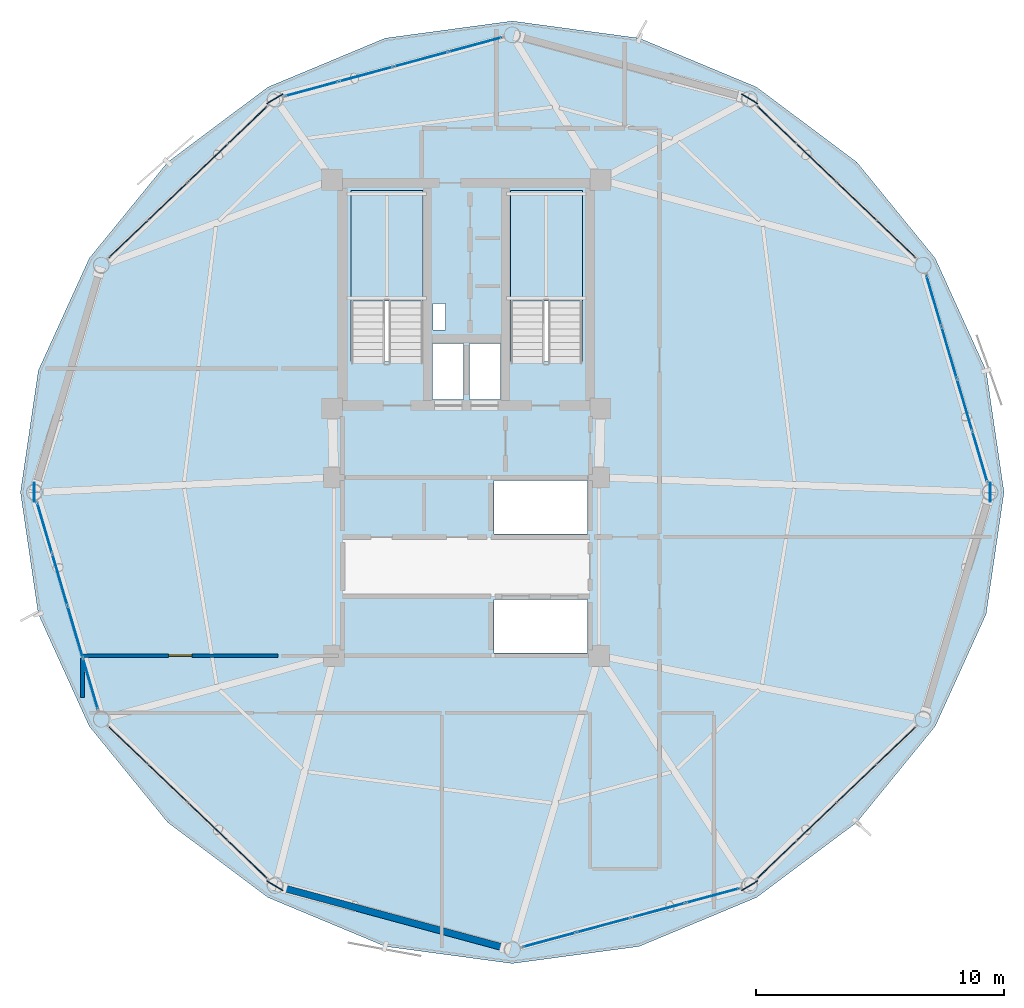
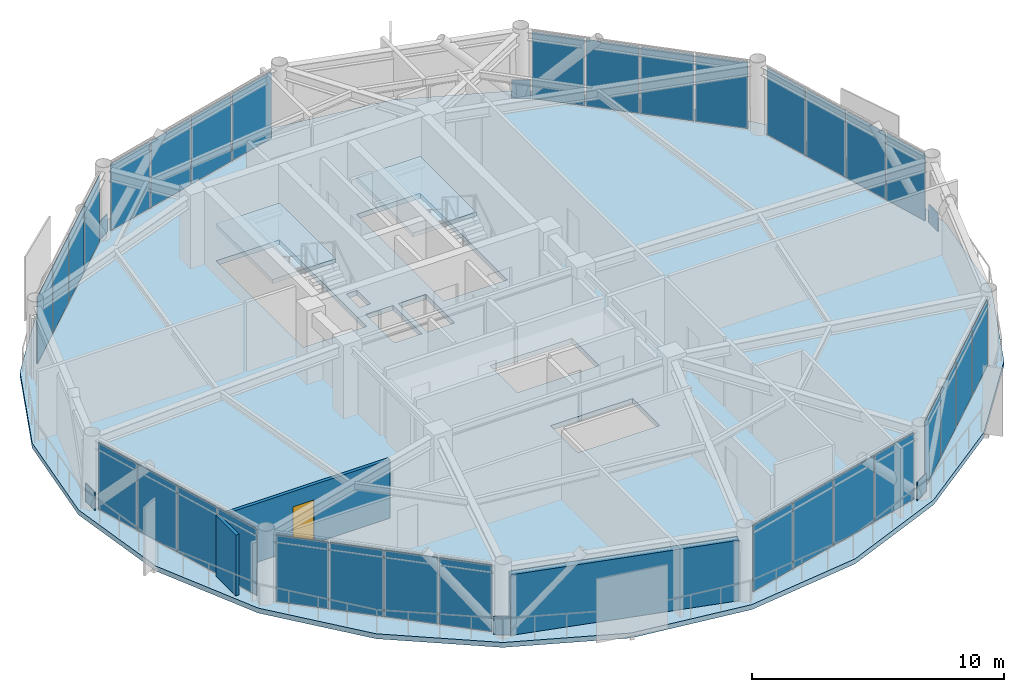
# One storey, part 22 of 28: 38 plates, 3 slabs, 3 walls, 1 door, 1 opening, 10 elements without a shape of their own.
"""IFC4 building model written with IfcOpenShell, lengths in metres."""

from ifc_helpers import new_model, si_unit, direction, frame, frame_2d, origin, origin_2d, place, context, subcontext, project, spatial, polyline, rectangle, outline, extrude, source, transform, mapped, material, layer, layer_set, type_object, type_shapes, element, fill, aggregate, save


model = new_model("IFC4")

# Units and contexts
model_context = context("Model", 3, precision=1e-05, world=origin(), true_north=direction((0.0, 1.0)))
body_context = subcontext(model_context, "Body", "Model", "MODEL_VIEW")
ifc_project = project(units=[si_unit("LENGTHUNIT", "METRE"), si_unit("AREAUNIT", "SQUARE_METRE"), si_unit("VOLUMEUNIT", "CUBIC_METRE"), si_unit("PLANEANGLEUNIT", "RADIAN"), si_unit("MASSUNIT", "GRAM", prefix="KILO")], contexts=[model_context])

# Site, building, storey
site_placement = place(None, origin())
site = spatial("IfcSite", under=ifc_project, at=site_placement, CompositionType="ELEMENT")
building_placement = place(site_placement, origin())
building = spatial("IfcBuilding", under=site, at=building_placement, Name="Varnakorn Sky Granary", CompositionType="ELEMENT")
storey_placement = place(building_placement, frame((0.0, 0.0, 204.0)))
storey = spatial("IfcBuildingStorey", under=building, at=storey_placement, Name="L51", CompositionType="ELEMENT", Elevation=204.0)

# Plates
ifc_material_1 = material(Name="Steel S460M", Category="steel")
ifc_layer_1 = layer(ifc_material_1, 0.035888671875, Name="Steel S460M")
ifc_layer_set_1 = layer_set([ifc_layer_1], Name="Steel S460M")
plate_type_1 = type_object("IfcPlateType", Name="PL-NODE-KN4", PredefinedType="SHEET", material=ifc_layer_set_1)
for number, where, z_axis, x_axis, name in (
    (1, (24.157958984375, 0.0, 0.0), (0.0, 0.0, 1.0), (0.0, 1.0, 0.0), "Diagrid Node Gusset Assembly KN4 L51-1"),
    (2, (14.4365234375, 15.886474609375, 0.0), (0.0, 0.0, 1.0), (-0.856190538408, 0.516660199687, 0.0), "Diagrid Node Gusset Assembly KN4 L51-3"),
    (3, (-4.736572265625, 15.886474609375, 0.0), (0.0, 0.0, 1.0), (-0.856190538408, -0.516660199687, 0.0), "Diagrid Node Gusset Assembly KN4 L51-5"),
    (4, (-14.4580078125, 0.0, 0.0), (0.0, 0.0, 1.0), (0.0, -1.0, 0.0), "Diagrid Node Gusset Assembly KN4 L51-7"),
    (5, (-4.736572265625, -15.886474609375, 0.0), (0.0, 0.0, 1.0), (0.856190538408, -0.516660199687, 0.0), "Diagrid Node Gusset Assembly KN4 L51-9"),
    (6, (14.4365234375, -15.886474609375, 0.0), (0.0, 0.0, 1.0), (0.856190538408, 0.516660199687, 0.0), "Diagrid Node Gusset Assembly KN4 L51-11"),
):
    element("IfcPlate", number, at=place(storey_placement, frame(where, z_axis=z_axis, x_axis=x_axis)), inside=storey, type_object=plate_type_1, Name=name, PredefinedType="SHEET", context=body_context, shape_type="SweptSolid", body=[
        extrude(rectangle(XDim=0.760009765625, YDim=0.035888671875, at=origin_2d()), origin(), (0.0, 0.0, 1.0), 0.8798828125),
    ])

# Stair, slab
ifc_material_2 = material(Name="Concrete C40/50", Category="concrete")
stair_type = type_object("IfcStairType", Name="ST-MAIN-ASSEMBLY", PredefinedType="HALF_TURN_STAIR", material=ifc_material_2)
stair_1_placement = place(storey_placement, origin())
stair_1 = element("IfcStair", 7, at=stair_1_placement, inside=storey, type_object=stair_type, Name="L51 Protected Exit Stair ST-1", PredefinedType="HALF_TURN_STAIR")
ifc_layer_2 = layer(ifc_material_2, 0.199951171875, Name="Concrete C40/50")
ifc_layer_set_2 = layer_set([ifc_layer_2], Name="Concrete C40/50")
slab_type_1 = type_object("IfcSlabType", Name="ST-MAIN-LAND", PredefinedType="LANDING", material=ifc_layer_set_2)
slab_1_placement = place(storey_placement, frame((0.0, 0.0, 1.60009765625)))
slab_1 = element("IfcSlab", 8, at=slab_1_placement, type_object=slab_type_1, Name="ST-1 landing 1", PredefinedType="LANDING", context=body_context, shape_type="SweptSolid", body=[
    extrude(outline(polyline([(1.239990234375, 7.719970703125), (1.239990234375, 12.179931640625), (-1.669921875, 12.179931640625), (-1.669921875, 7.719970703125), (1.239990234375, 7.719970703125)])), origin(), (0.0, 0.0, 1.0), 0.199951171875),
])
aggregate(stair_1, [slab_1])

stair_2_placement = place(storey_placement, origin())
stair_2 = element("IfcStair", 9, at=stair_2_placement, inside=storey, type_object=stair_type, Name="L51 Protected Exit Stair ST-2", PredefinedType="HALF_TURN_STAIR")
slab_2_placement = place(storey_placement, frame((0.0, 0.0, 1.60009765625)))
slab_2 = element("IfcSlab", 10, at=slab_2_placement, type_object=slab_type_1, Name="ST-2 landing 1", PredefinedType="LANDING", context=body_context, shape_type="SweptSolid", body=[
    extrude(outline(polyline([(7.679931640625, 7.719970703125), (7.679931640625, 12.179931640625), (4.77001953125, 12.179931640625), (4.77001953125, 7.719970703125), (7.679931640625, 7.719970703125)])), origin(), (0.0, 0.0, 1.0), 0.199951171875),
])
aggregate(stair_2, [slab_2])

# Slab
ifc_material_3 = material(Name="Concrete C50/60", Category="concrete")
ifc_layer_3 = layer(ifc_material_3, 0.239990234375, Name="Concrete C50/60")
ifc_layer_set_3 = layer_set([ifc_layer_3], Name="Concrete C50/60")
slab_type_2 = type_object("IfcSlabType", Name="ST-SL-TWR-240", PredefinedType="FLOOR", material=ifc_layer_set_3)
slab_3_placement = place(storey_placement, frame((0.0, 0.0, -0.239990234375)))
element("IfcSlab", 11, at=slab_3_placement, inside=storey, type_object=slab_type_2, Name="Level L51 Structural Floor Slab", PredefinedType="FLOOR", context=body_context, shape_type="SweptSolid", body=[
    extrude(outline(polyline([(24.7080078125, 0.0), (23.98779296875, 4.913330078125), (21.9306640625, 9.447021484375), (18.764404296875, 13.328369140625), (14.71142578125, 16.36279296875), (9.97802734375, 18.337158203125), (4.85009765625, 19.029052734375), (-0.278076171875, 18.337158203125), (-5.011474609375, 16.36279296875), (-9.064453125, 13.328369140625), (-12.230712890625, 9.447021484375), (-14.287841796875, 4.913330078125), (-15.008056640625, 0.0), (-14.287841796875, -4.913330078125), (-12.230712890625, -9.447021484375), (-9.064453125, -13.328369140625), (-5.011474609375, -16.36279296875), (-0.278076171875, -18.337158203125), (4.85009765625, -19.029052734375), (9.97802734375, -18.337158203125), (14.71142578125, -16.36279296875), (18.764404296875, -13.328369140625), (21.9306640625, -9.447021484375), (23.98779296875, -4.913330078125), (24.7080078125, 0.0)]), holes=[polyline([(1.239990234375, 5.27490234375), (1.239990234375, 12.179931640625), (-1.669921875, 12.179931640625), (-1.669921875, 5.27490234375), (1.239990234375, 5.27490234375)]), polyline([(7.679931640625, 5.27490234375), (7.679931640625, 12.179931640625), (4.77001953125, 12.179931640625), (4.77001953125, 5.27490234375), (7.679931640625, 5.27490234375)]), polyline([(1.659912109375, 6.550048828125), (2.14990234375, 6.550048828125), (2.14990234375, 7.6201171875), (1.659912109375, 7.6201171875), (1.659912109375, 6.550048828125)]), polyline([(1.6201171875, 3.739990234375), (2.8798828125, 3.739990234375), (2.8798828125, 6.010009765625), (1.6201171875, 6.010009765625), (1.6201171875, 3.739990234375)]), polyline([(3.1201171875, 3.739990234375), (4.3798828125, 3.739990234375), (4.3798828125, 6.010009765625), (3.1201171875, 6.010009765625), (3.1201171875, 3.739990234375)]), polyline([(4.1201171875, -1.679931640625), (7.8798828125, -1.679931640625), (7.8798828125, 0.47998046875), (4.1201171875, 0.47998046875), (4.1201171875, -1.679931640625)]), polyline([(4.1201171875, -6.47998046875), (7.8798828125, -6.47998046875), (7.8798828125, -4.320068359375), (4.1201171875, -4.320068359375), (4.1201171875, -6.47998046875)])]), origin(), (0.0, 0.0, 1.0), 0.239990234375),
])

# Curtain wall, plates
ifc_material_4 = material(Name="Anodised Bronze Aluminium Alloy 6063-T6", Category="aluminium")
ifc_layer_4 = layer(ifc_material_4, 0.169921875, Name="Anodised Bronze Aluminium Alloy 6063-T6")
ifc_layer_set_4 = layer_set([ifc_layer_4], Name="Anodised Bronze Aluminium Alloy 6063-T6")
curtain_wall_type = type_object("IfcCurtainWallType", Name="CW-LAB-1", PredefinedType="USERDEFINED", material=ifc_layer_set_4)
curtain_wall_1_placement = place(storey_placement, origin())
curtain_wall_1 = element("IfcCurtainWall", 12, at=curtain_wall_1_placement, inside=storey, type_object=curtain_wall_type, Name="Unitised Curtain Wall CW5 CW-L51-B01", ObjectType="CURTAIN WALL", PredefinedType="USERDEFINED")
ifc_material_5 = material(Name="Low-E Tinted Laminated Glass", Category="glass")
ifc_layer_5 = layer(ifc_material_5, 0.033935546875, Name="Low-E Tinted Laminated Glass")
ifc_layer_set_5 = layer_set([ifc_layer_5], Name="Low-E Tinted Laminated Glass")
plate_type_2 = type_object("IfcPlateType", Name="CW-LAB-1-PNL", PredefinedType="CURTAIN_PANEL")
shared_shape_1 = source(origin(), body_context, "Body", "SweptSolid", [
    extrude(rectangle(XDim=2.09814453125, YDim=0.033935546875, at=origin_2d()), origin(), (0.0, 0.0, 1.0), 3.219970703125),
])
plate_1_placement = place(storey_placement, frame((21.879638671875, 7.729248046875, 0.06982421875), z_axis=(0.0, 0.0, 1.0), x_axis=(0.282743913729, -0.959195433293, 0.0)))
plate_1 = element("IfcPlate", 13, at=plate_1_placement, type_object=plate_type_2, material=ifc_layer_set_5, Name="CW5 vision glazing unit 1.1", PredefinedType="CURTAIN_PANEL", context=body_context, shape_type="MappedRepresentation", body=[
    mapped(shared_shape_1, transform((0.0, 0.0, 0.0), x_axis=(1.0, 0.0, 0.0), y_axis=(0.0, 1.0, 0.0), z_axis=(0.0, 0.0, 1.0), scale=1.0)),
])
ifc_material_6 = material(Name="Opaque Insulated Aluminium Shadow-Box Unit", Category="aluminium")
ifc_layer_6 = layer(ifc_material_6, 0.033935546875, Name="Opaque Insulated Aluminium Shadow-Box Unit")
ifc_layer_set_6 = layer_set([ifc_layer_6], Name="Opaque Insulated Aluminium Shadow-Box Unit")
plate_2_placement = place(storey_placement, frame((23.732666015625, 1.442626953125, 0.06982421875), z_axis=(0.0, 0.0, 1.0), x_axis=(0.282743913729, -0.959195433293, 0.0)))
plate_2 = element("IfcPlate", 14, at=plate_2_placement, type_object=plate_type_2, material=ifc_layer_set_6, Name="CW5 opaque insulated shadow-box unit 4.1", PredefinedType="CURTAIN_PANEL", context=body_context, shape_type="MappedRepresentation", body=[
    mapped(shared_shape_1, transform((0.0, 0.0, 0.0), x_axis=(1.0, 0.0, 0.0), y_axis=(0.0, 1.0, 0.0), z_axis=(0.0, 0.0, 1.0), scale=1.0)),
])

curtain_wall_2_placement = place(storey_placement, origin())
curtain_wall_2 = element("IfcCurtainWall", 15, at=curtain_wall_2_placement, inside=storey, type_object=curtain_wall_type, Name="Unitised Curtain Wall CW5 CW-L51-B07", ObjectType="CURTAIN WALL", PredefinedType="USERDEFINED")
plate_3_placement = place(storey_placement, frame((-12.1796875, -7.729248046875, 0.06982421875), z_axis=(0.0, 0.0, 1.0), x_axis=(-0.282743913729, 0.959195433293, 0.0)))
plate_3 = element("IfcPlate", 16, at=plate_3_placement, type_object=plate_type_2, material=ifc_layer_set_5, Name="CW5 vision glazing unit 1.1", PredefinedType="CURTAIN_PANEL", context=body_context, shape_type="MappedRepresentation", body=[
    mapped(shared_shape_1, transform((0.0, 0.0, 0.0), x_axis=(1.0, 0.0, 0.0), y_axis=(0.0, 1.0, 0.0), z_axis=(0.0, 0.0, 1.0), scale=1.0)),
])
plate_4_placement = place(storey_placement, frame((-14.03271484375, -1.442626953125, 0.06982421875), z_axis=(0.0, 0.0, 1.0), x_axis=(-0.282743913729, 0.959195433293, 0.0)))
plate_4 = element("IfcPlate", 17, at=plate_4_placement, type_object=plate_type_2, material=ifc_layer_set_6, Name="CW5 opaque insulated shadow-box unit 4.1", PredefinedType="CURTAIN_PANEL", context=body_context, shape_type="MappedRepresentation", body=[
    mapped(shared_shape_1, transform((0.0, 0.0, 0.0), x_axis=(1.0, 0.0, 0.0), y_axis=(0.0, 1.0, 0.0), z_axis=(0.0, 0.0, 1.0), scale=1.0)),
])

# Plate
shared_shape_2 = source(origin(), body_context, "Body", "SweptSolid", [
    extrude(rectangle(XDim=2.130615234375, YDim=0.033935546875, at=origin_2d()), origin(), (0.0, 0.0, 1.0), 3.219970703125),
])
plate_5_placement = place(storey_placement, frame((22.495849609375, 5.638916015625, 0.06982421875), z_axis=(0.0, 0.0, 1.0), x_axis=(0.282743913729, -0.959195433293, 0.0)))
plate_5 = element("IfcPlate", 18, at=plate_5_placement, type_object=plate_type_2, material=ifc_layer_set_5, Name="CW5 vision glazing unit 2.1", PredefinedType="CURTAIN_PANEL", context=body_context, shape_type="MappedRepresentation", body=[
    mapped(shared_shape_2, transform((0.0, 0.0, 0.0), x_axis=(1.0, 0.0, 0.0), y_axis=(0.0, 1.0, 0.0), z_axis=(0.0, 0.0, 1.0), scale=1.0)),
])

plate_6_placement = place(storey_placement, frame((23.116455078125, 3.532958984375, 0.06982421875), z_axis=(0.0, 0.0, 1.0), x_axis=(0.282743913729, -0.959195433293, 0.0)))
plate_6 = element("IfcPlate", 19, at=plate_6_placement, type_object=plate_type_2, material=ifc_layer_set_6, Name="CW5 opaque insulated shadow-box unit 3.1", PredefinedType="CURTAIN_PANEL", context=body_context, shape_type="MappedRepresentation", body=[
    mapped(shared_shape_2, transform((0.0, 0.0, 0.0), x_axis=(1.0, 0.0, 0.0), y_axis=(0.0, 1.0, 0.0), z_axis=(0.0, 0.0, 1.0), scale=1.0)),
])

aggregate(curtain_wall_1, [plate_1, plate_5, plate_6, plate_2])

plate_7_placement = place(storey_placement, frame((-12.795654296875, -5.638916015625, 0.06982421875), z_axis=(0.0, 0.0, 1.0), x_axis=(-0.282743913729, 0.959195433293, 0.0)))
plate_7 = element("IfcPlate", 20, at=plate_7_placement, type_object=plate_type_2, material=ifc_layer_set_5, Name="CW5 vision glazing unit 2.1", PredefinedType="CURTAIN_PANEL", context=body_context, shape_type="MappedRepresentation", body=[
    mapped(shared_shape_2, transform((0.0, 0.0, 0.0), x_axis=(1.0, 0.0, 0.0), y_axis=(0.0, 1.0, 0.0), z_axis=(0.0, 0.0, 1.0), scale=1.0)),
])

plate_8_placement = place(storey_placement, frame((-13.41650390625, -3.532958984375, 0.06982421875), z_axis=(0.0, 0.0, 1.0), x_axis=(-0.282743913729, 0.959195433293, 0.0)))
plate_8 = element("IfcPlate", 21, at=plate_8_placement, type_object=plate_type_2, material=ifc_layer_set_6, Name="CW5 opaque insulated shadow-box unit 3.1", PredefinedType="CURTAIN_PANEL", context=body_context, shape_type="MappedRepresentation", body=[
    mapped(shared_shape_2, transform((0.0, 0.0, 0.0), x_axis=(1.0, 0.0, 0.0), y_axis=(0.0, 1.0, 0.0), z_axis=(0.0, 0.0, 1.0), scale=1.0)),
])

aggregate(curtain_wall_2, [plate_3, plate_7, plate_8, plate_4])

# Curtain wall, plates
curtain_wall_3_placement = place(storey_placement, origin())
curtain_wall_3 = element("IfcCurtainWall", 22, at=curtain_wall_3_placement, inside=storey, type_object=curtain_wall_type, Name="Unitised Curtain Wall CW5 CW-L51-B02", ObjectType="CURTAIN WALL", PredefinedType="USERDEFINED")
shared_shape_3 = source(origin(), body_context, "Body", "SweptSolid", [
    extrude(rectangle(XDim=2.1357421875, YDim=0.033935546875, at=origin_2d()), origin(), (0.0, 0.0, 1.0), 3.219970703125),
])
plate_9_placement = place(storey_placement, frame((15.536865234375, 14.833740234375, 0.06982421875), z_axis=(0.0, 0.0, 1.0), x_axis=(0.722551406393, -0.691317195735, 0.0)))
plate_9 = element("IfcPlate", 23, at=plate_9_placement, type_object=plate_type_2, material=ifc_layer_set_6, Name="CW5 opaque insulated shadow-box unit 1.1", PredefinedType="CURTAIN_PANEL", context=body_context, shape_type="MappedRepresentation", body=[
    mapped(shared_shape_3, transform((0.0, 0.0, 0.0), x_axis=(1.0, 0.0, 0.0), y_axis=(0.0, 1.0, 0.0), z_axis=(0.0, 0.0, 1.0), scale=1.0)),
])
plate_10_placement = place(storey_placement, frame((20.35400390625, 10.224853515625, 0.06982421875), z_axis=(0.0, 0.0, 1.0), x_axis=(0.722551406393, -0.691317195735, 0.0)))
plate_10 = element("IfcPlate", 24, at=plate_10_placement, type_object=plate_type_2, material=ifc_layer_set_5, Name="CW5 vision glazing unit 4.1", PredefinedType="CURTAIN_PANEL", context=body_context, shape_type="MappedRepresentation", body=[
    mapped(shared_shape_3, transform((0.0, 0.0, 0.0), x_axis=(1.0, 0.0, 0.0), y_axis=(0.0, 1.0, 0.0), z_axis=(0.0, 0.0, 1.0), scale=1.0)),
])

curtain_wall_4_placement = place(storey_placement, origin())
curtain_wall_4 = element("IfcCurtainWall", 25, at=curtain_wall_4_placement, inside=storey, type_object=curtain_wall_type, Name="Unitised Curtain Wall CW5 CW-L51-B05", ObjectType="CURTAIN WALL", PredefinedType="USERDEFINED")
plate_11_placement = place(storey_placement, frame((-10.654052734375, 10.224853515625, 0.06982421875), z_axis=(0.0, 0.0, 1.0), x_axis=(0.722551406393, 0.691317195735, 0.0)))
plate_11 = element("IfcPlate", 26, at=plate_11_placement, type_object=plate_type_2, material=ifc_layer_set_5, Name="CW5 vision glazing unit 1.1", PredefinedType="CURTAIN_PANEL", context=body_context, shape_type="MappedRepresentation", body=[
    mapped(shared_shape_3, transform((0.0, 0.0, 0.0), x_axis=(1.0, 0.0, 0.0), y_axis=(0.0, 1.0, 0.0), z_axis=(0.0, 0.0, 1.0), scale=1.0)),
])
plate_12_placement = place(storey_placement, frame((-5.8369140625, 14.833740234375, 0.06982421875), z_axis=(0.0, 0.0, 1.0), x_axis=(0.722551406393, 0.691317195735, 0.0)))
plate_12 = element("IfcPlate", 27, at=plate_12_placement, type_object=plate_type_2, material=ifc_layer_set_6, Name="CW5 opaque insulated shadow-box unit 4.1", PredefinedType="CURTAIN_PANEL", context=body_context, shape_type="MappedRepresentation", body=[
    mapped(shared_shape_3, transform((0.0, 0.0, 0.0), x_axis=(1.0, 0.0, 0.0), y_axis=(0.0, 1.0, 0.0), z_axis=(0.0, 0.0, 1.0), scale=1.0)),
])

curtain_wall_5_placement = place(storey_placement, origin())
curtain_wall_5 = element("IfcCurtainWall", 28, at=curtain_wall_5_placement, inside=storey, type_object=curtain_wall_type, Name="Unitised Curtain Wall CW5 CW-L51-B08", ObjectType="CURTAIN WALL", PredefinedType="USERDEFINED")
plate_13_placement = place(storey_placement, frame((-5.8369140625, -14.833740234375, 0.06982421875), z_axis=(0.0, 0.0, 1.0), x_axis=(-0.722551406393, 0.691317195735, 0.0)))
plate_13 = element("IfcPlate", 29, at=plate_13_placement, type_object=plate_type_2, material=ifc_layer_set_6, Name="CW5 opaque insulated shadow-box unit 1.1", PredefinedType="CURTAIN_PANEL", context=body_context, shape_type="MappedRepresentation", body=[
    mapped(shared_shape_3, transform((0.0, 0.0, 0.0), x_axis=(1.0, 0.0, 0.0), y_axis=(0.0, 1.0, 0.0), z_axis=(0.0, 0.0, 1.0), scale=1.0)),
])
plate_14_placement = place(storey_placement, frame((-10.654052734375, -10.224853515625, 0.06982421875), z_axis=(0.0, 0.0, 1.0), x_axis=(-0.722551406393, 0.691317195735, 0.0)))
plate_14 = element("IfcPlate", 30, at=plate_14_placement, type_object=plate_type_2, material=ifc_layer_set_5, Name="CW5 vision glazing unit 4.1", PredefinedType="CURTAIN_PANEL", context=body_context, shape_type="MappedRepresentation", body=[
    mapped(shared_shape_3, transform((0.0, 0.0, 0.0), x_axis=(1.0, 0.0, 0.0), y_axis=(0.0, 1.0, 0.0), z_axis=(0.0, 0.0, 1.0), scale=1.0)),
])

curtain_wall_6_placement = place(storey_placement, origin())
curtain_wall_6 = element("IfcCurtainWall", 31, at=curtain_wall_6_placement, inside=storey, type_object=curtain_wall_type, Name="Unitised Curtain Wall CW5 CW-L51-B11", ObjectType="CURTAIN WALL", PredefinedType="USERDEFINED")
plate_15_placement = place(storey_placement, frame((20.35400390625, -10.224853515625, 0.06982421875), z_axis=(0.0, 0.0, 1.0), x_axis=(-0.722551406393, -0.691317195735, 0.0)))
plate_15 = element("IfcPlate", 32, at=plate_15_placement, type_object=plate_type_2, material=ifc_layer_set_5, Name="CW5 vision glazing unit 1.1", PredefinedType="CURTAIN_PANEL", context=body_context, shape_type="MappedRepresentation", body=[
    mapped(shared_shape_3, transform((0.0, 0.0, 0.0), x_axis=(1.0, 0.0, 0.0), y_axis=(0.0, 1.0, 0.0), z_axis=(0.0, 0.0, 1.0), scale=1.0)),
])
plate_16_placement = place(storey_placement, frame((15.536865234375, -14.833740234375, 0.06982421875), z_axis=(0.0, 0.0, 1.0), x_axis=(-0.722551406393, -0.691317195735, 0.0)))
plate_16 = element("IfcPlate", 33, at=plate_16_placement, type_object=plate_type_2, material=ifc_layer_set_6, Name="CW5 opaque insulated shadow-box unit 4.1", PredefinedType="CURTAIN_PANEL", context=body_context, shape_type="MappedRepresentation", body=[
    mapped(shared_shape_3, transform((0.0, 0.0, 0.0), x_axis=(1.0, 0.0, 0.0), y_axis=(0.0, 1.0, 0.0), z_axis=(0.0, 0.0, 1.0), scale=1.0)),
])

# Plate
shared_shape_4 = source(origin(), body_context, "Body", "SweptSolid", [
    extrude(rectangle(XDim=2.168212890625, YDim=0.033935546875, at=origin_2d()), origin(), (0.0, 0.0, 1.0), 3.219970703125),
])
plate_17_placement = place(storey_placement, frame((17.138671875, 13.301025390625, 0.06982421875), z_axis=(0.0, 0.0, 1.0), x_axis=(0.722551406393, -0.691317195735, 0.0)))
plate_17 = element("IfcPlate", 34, at=plate_17_placement, type_object=plate_type_2, material=ifc_layer_set_6, Name="CW5 opaque insulated shadow-box unit 2.1", PredefinedType="CURTAIN_PANEL", context=body_context, shape_type="MappedRepresentation", body=[
    mapped(shared_shape_4, transform((0.0, 0.0, 0.0), x_axis=(1.0, 0.0, 0.0), y_axis=(0.0, 1.0, 0.0), z_axis=(0.0, 0.0, 1.0), scale=1.0)),
])

plate_18_placement = place(storey_placement, frame((18.752197265625, 11.75732421875, 0.06982421875), z_axis=(0.0, 0.0, 1.0), x_axis=(0.722551406393, -0.691317195735, 0.0)))
plate_18 = element("IfcPlate", 35, at=plate_18_placement, type_object=plate_type_2, material=ifc_layer_set_5, Name="CW5 vision glazing unit 3.1", PredefinedType="CURTAIN_PANEL", context=body_context, shape_type="MappedRepresentation", body=[
    mapped(shared_shape_4, transform((0.0, 0.0, 0.0), x_axis=(1.0, 0.0, 0.0), y_axis=(0.0, 1.0, 0.0), z_axis=(0.0, 0.0, 1.0), scale=1.0)),
])

aggregate(curtain_wall_3, [plate_9, plate_17, plate_18, plate_10])

plate_19_placement = place(storey_placement, frame((-9.05224609375, 11.75732421875, 0.06982421875), z_axis=(0.0, 0.0, 1.0), x_axis=(0.722551406393, 0.691317195735, 0.0)))
plate_19 = element("IfcPlate", 36, at=plate_19_placement, type_object=plate_type_2, material=ifc_layer_set_5, Name="CW5 vision glazing unit 2.1", PredefinedType="CURTAIN_PANEL", context=body_context, shape_type="MappedRepresentation", body=[
    mapped(shared_shape_4, transform((0.0, 0.0, 0.0), x_axis=(1.0, 0.0, 0.0), y_axis=(0.0, 1.0, 0.0), z_axis=(0.0, 0.0, 1.0), scale=1.0)),
])

plate_20_placement = place(storey_placement, frame((-7.438720703125, 13.301025390625, 0.06982421875), z_axis=(0.0, 0.0, 1.0), x_axis=(0.722551406393, 0.691317195735, 0.0)))
plate_20 = element("IfcPlate", 37, at=plate_20_placement, type_object=plate_type_2, material=ifc_layer_set_6, Name="CW5 opaque insulated shadow-box unit 3.1", PredefinedType="CURTAIN_PANEL", context=body_context, shape_type="MappedRepresentation", body=[
    mapped(shared_shape_4, transform((0.0, 0.0, 0.0), x_axis=(1.0, 0.0, 0.0), y_axis=(0.0, 1.0, 0.0), z_axis=(0.0, 0.0, 1.0), scale=1.0)),
])

aggregate(curtain_wall_4, [plate_11, plate_19, plate_20, plate_12])

plate_21_placement = place(storey_placement, frame((-7.438720703125, -13.301025390625, 0.06982421875), z_axis=(0.0, 0.0, 1.0), x_axis=(-0.722551406393, 0.691317195735, 0.0)))
plate_21 = element("IfcPlate", 38, at=plate_21_placement, type_object=plate_type_2, material=ifc_layer_set_6, Name="CW5 opaque insulated shadow-box unit 2.1", PredefinedType="CURTAIN_PANEL", context=body_context, shape_type="MappedRepresentation", body=[
    mapped(shared_shape_4, transform((0.0, 0.0, 0.0), x_axis=(1.0, 0.0, 0.0), y_axis=(0.0, 1.0, 0.0), z_axis=(0.0, 0.0, 1.0), scale=1.0)),
])

plate_22_placement = place(storey_placement, frame((-9.05224609375, -11.75732421875, 0.06982421875), z_axis=(0.0, 0.0, 1.0), x_axis=(-0.722551406393, 0.691317195735, 0.0)))
plate_22 = element("IfcPlate", 39, at=plate_22_placement, type_object=plate_type_2, material=ifc_layer_set_5, Name="CW5 vision glazing unit 3.1", PredefinedType="CURTAIN_PANEL", context=body_context, shape_type="MappedRepresentation", body=[
    mapped(shared_shape_4, transform((0.0, 0.0, 0.0), x_axis=(1.0, 0.0, 0.0), y_axis=(0.0, 1.0, 0.0), z_axis=(0.0, 0.0, 1.0), scale=1.0)),
])

aggregate(curtain_wall_5, [plate_13, plate_21, plate_22, plate_14])

plate_23_placement = place(storey_placement, frame((18.752197265625, -11.75732421875, 0.06982421875), z_axis=(0.0, 0.0, 1.0), x_axis=(-0.722551406393, -0.691317195735, 0.0)))
plate_23 = element("IfcPlate", 40, at=plate_23_placement, type_object=plate_type_2, material=ifc_layer_set_5, Name="CW5 vision glazing unit 2.1", PredefinedType="CURTAIN_PANEL", context=body_context, shape_type="MappedRepresentation", body=[
    mapped(shared_shape_4, transform((0.0, 0.0, 0.0), x_axis=(1.0, 0.0, 0.0), y_axis=(0.0, 1.0, 0.0), z_axis=(0.0, 0.0, 1.0), scale=1.0)),
])

plate_24_placement = place(storey_placement, frame((17.138671875, -13.301025390625, 0.06982421875), z_axis=(0.0, 0.0, 1.0), x_axis=(-0.722551406393, -0.691317195735, 0.0)))
plate_24 = element("IfcPlate", 41, at=plate_24_placement, type_object=plate_type_2, material=ifc_layer_set_6, Name="CW5 opaque insulated shadow-box unit 3.1", PredefinedType="CURTAIN_PANEL", context=body_context, shape_type="MappedRepresentation", body=[
    mapped(shared_shape_4, transform((0.0, 0.0, 0.0), x_axis=(1.0, 0.0, 0.0), y_axis=(0.0, 1.0, 0.0), z_axis=(0.0, 0.0, 1.0), scale=1.0)),
])

aggregate(curtain_wall_6, [plate_15, plate_23, plate_24, plate_16])

# Curtain wall, plates
curtain_wall_7_placement = place(storey_placement, origin())
curtain_wall_7 = element("IfcCurtainWall", 42, at=curtain_wall_7_placement, inside=storey, type_object=curtain_wall_type, Name="Unitised Curtain Wall CW5 CW-L51-B04", ObjectType="CURTAIN WALL", PredefinedType="USERDEFINED")
shared_shape_5 = source(origin(), body_context, "Body", "SweptSolid", [
    extrude(rectangle(XDim=2.190185546875, YDim=0.033935546875, at=origin_2d()), origin(), (0.0, 0.0, 1.0), 3.219970703125),
])
plate_25_placement = place(storey_placement, frame((-3.240234375, 16.291015625, 0.06982421875), z_axis=(0.0, 0.0, 1.0), x_axis=(0.965320233405, 0.261068663342, 0.0)))
plate_25 = element("IfcPlate", 43, at=plate_25_placement, type_object=plate_type_2, material=ifc_layer_set_6, Name="CW5 opaque insulated shadow-box unit 1.1", PredefinedType="CURTAIN_PANEL", context=body_context, shape_type="MappedRepresentation", body=[
    mapped(shared_shape_5, transform((0.0, 0.0, 0.0), x_axis=(1.0, 0.0, 0.0), y_axis=(0.0, 1.0, 0.0), z_axis=(0.0, 0.0, 1.0), scale=1.0)),
])
plate_26_placement = place(storey_placement, frame((3.353515625, 18.07421875, 0.06982421875), z_axis=(0.0, 0.0, 1.0), x_axis=(0.965320233405, 0.261068663342, 0.0)))
plate_26 = element("IfcPlate", 44, at=plate_26_placement, type_object=plate_type_2, material=ifc_layer_set_5, Name="CW5 vision glazing unit 4.1", PredefinedType="CURTAIN_PANEL", context=body_context, shape_type="MappedRepresentation", body=[
    mapped(shared_shape_5, transform((0.0, 0.0, 0.0), x_axis=(1.0, 0.0, 0.0), y_axis=(0.0, 1.0, 0.0), z_axis=(0.0, 0.0, 1.0), scale=1.0)),
])

curtain_wall_8_placement = place(storey_placement, origin())
curtain_wall_8 = element("IfcCurtainWall", 45, at=curtain_wall_8_placement, inside=storey, type_object=curtain_wall_type, Name="Unitised Curtain Wall CW5 CW-L51-B10", ObjectType="CURTAIN WALL", PredefinedType="USERDEFINED")
plate_27_placement = place(storey_placement, frame((12.940185546875, -16.291015625, 0.06982421875), z_axis=(0.0, 0.0, 1.0), x_axis=(-0.965320233405, -0.261068663342, 0.0)))
plate_27 = element("IfcPlate", 46, at=plate_27_placement, type_object=plate_type_2, material=ifc_layer_set_6, Name="CW5 opaque insulated shadow-box unit 1.1", PredefinedType="CURTAIN_PANEL", context=body_context, shape_type="MappedRepresentation", body=[
    mapped(shared_shape_5, transform((0.0, 0.0, 0.0), x_axis=(1.0, 0.0, 0.0), y_axis=(0.0, 1.0, 0.0), z_axis=(0.0, 0.0, 1.0), scale=1.0)),
])
plate_28_placement = place(storey_placement, frame((6.346435546875, -18.07421875, 0.06982421875), z_axis=(0.0, 0.0, 1.0), x_axis=(-0.965320233405, -0.261068663342, 0.0)))
plate_28 = element("IfcPlate", 47, at=plate_28_placement, type_object=plate_type_2, material=ifc_layer_set_5, Name="CW5 vision glazing unit 4.1", PredefinedType="CURTAIN_PANEL", context=body_context, shape_type="MappedRepresentation", body=[
    mapped(shared_shape_5, transform((0.0, 0.0, 0.0), x_axis=(1.0, 0.0, 0.0), y_axis=(0.0, 1.0, 0.0), z_axis=(0.0, 0.0, 1.0), scale=1.0)),
])

# Plate
shared_shape_6 = source(origin(), body_context, "Body", "SweptSolid", [
    extrude(rectangle(XDim=2.22265625, YDim=0.033935546875, at=origin_2d()), origin(), (0.0, 0.0, 1.0), 3.219970703125),
])
type_shapes(plate_type_2, [shared_shape_1, shared_shape_2, shared_shape_3, shared_shape_4, shared_shape_5, shared_shape_6])
plate_29_placement = place(storey_placement, frame((-1.04736328125, 16.884033203125, 0.06982421875), z_axis=(0.0, 0.0, 1.0), x_axis=(0.965320233405, 0.261068663342, 0.0)))
plate_29 = element("IfcPlate", 48, at=plate_29_placement, type_object=plate_type_2, material=ifc_layer_set_6, Name="CW5 opaque insulated shadow-box unit 2.1", PredefinedType="CURTAIN_PANEL", context=body_context, shape_type="MappedRepresentation", body=[
    mapped(shared_shape_6, transform((0.0, 0.0, 0.0), x_axis=(1.0, 0.0, 0.0), y_axis=(0.0, 1.0, 0.0), z_axis=(0.0, 0.0, 1.0), scale=1.0)),
])

plate_30_placement = place(storey_placement, frame((1.160888671875, 17.4814453125, 0.06982421875), z_axis=(0.0, 0.0, 1.0), x_axis=(0.965320233405, 0.261068663342, 0.0)))
plate_30 = element("IfcPlate", 49, at=plate_30_placement, type_object=plate_type_2, material=ifc_layer_set_5, Name="CW5 vision glazing unit 3.1", PredefinedType="CURTAIN_PANEL", context=body_context, shape_type="MappedRepresentation", body=[
    mapped(shared_shape_6, transform((0.0, 0.0, 0.0), x_axis=(1.0, 0.0, 0.0), y_axis=(0.0, 1.0, 0.0), z_axis=(0.0, 0.0, 1.0), scale=1.0)),
])

aggregate(curtain_wall_7, [plate_25, plate_29, plate_30, plate_26])

plate_31_placement = place(storey_placement, frame((10.74755859375, -16.884033203125, 0.06982421875), z_axis=(0.0, 0.0, 1.0), x_axis=(-0.965320233405, -0.261068663342, 0.0)))
plate_31 = element("IfcPlate", 50, at=plate_31_placement, type_object=plate_type_2, material=ifc_layer_set_6, Name="CW5 opaque insulated shadow-box unit 2.1", PredefinedType="CURTAIN_PANEL", context=body_context, shape_type="MappedRepresentation", body=[
    mapped(shared_shape_6, transform((0.0, 0.0, 0.0), x_axis=(1.0, 0.0, 0.0), y_axis=(0.0, 1.0, 0.0), z_axis=(0.0, 0.0, 1.0), scale=1.0)),
])

plate_32_placement = place(storey_placement, frame((8.5390625, -17.4814453125, 0.06982421875), z_axis=(0.0, 0.0, 1.0), x_axis=(-0.965320233405, -0.261068663342, 0.0)))
plate_32 = element("IfcPlate", 51, at=plate_32_placement, type_object=plate_type_2, material=ifc_layer_set_5, Name="CW5 vision glazing unit 3.1", PredefinedType="CURTAIN_PANEL", context=body_context, shape_type="MappedRepresentation", body=[
    mapped(shared_shape_6, transform((0.0, 0.0, 0.0), x_axis=(1.0, 0.0, 0.0), y_axis=(0.0, 1.0, 0.0), z_axis=(0.0, 0.0, 1.0), scale=1.0)),
])

aggregate(curtain_wall_8, [plate_27, plate_31, plate_32, plate_28])

# Wall
ifc_material_7 = material(Name="Precast concrete C40/50", Category="concrete")
ifc_layer_7 = layer(ifc_material_7, 0.280029296875, Name="Precast concrete C40/50")
ifc_layer_set_7 = layer_set([ifc_layer_7], Name="Precast concrete C40/50")
wall_type_1 = type_object("IfcWallType", Name="WT-EW-CRN-280", PredefinedType="SOLIDWALL", material=ifc_layer_set_7)
wall_1_placement = place(storey_placement, frame((4.574951171875, -18.404541015625, 0.0), z_axis=(0.0, 0.0, 1.0), x_axis=(-0.965320770618, 0.261066676948, 0.0)))
element("IfcWall", 52, at=wall_1_placement, inside=storey, type_object=wall_type_1, Name="Agritech Insulated Precast Facade Wall L51-P09", PredefinedType="SOLIDWALL", context=body_context, shape_type="SweptSolid", body=[
    extrude(rectangle(XDim=9.361083984375, YDim=0.280029296875, at=frame_2d((4.6806640625, 0.0))), origin(), (0.0, 0.0, 1.0), 2.929931640625),
])

# Wall, opening, door
ifc_material_8 = material(Name="Gypsum Plasterboard on Steel Stud", Category="steel")
ifc_layer_8 = layer(ifc_material_8, 0.14990234375, Name="Gypsum Plasterboard on Steel Stud")
ifc_layer_set_8 = layer_set([ifc_layer_8], Name="Gypsum Plasterboard on Steel Stud")
wall_type_2 = type_object("IfcWallType", Name="WT-PART-150", PredefinedType="PARTITIONING", material=ifc_layer_set_8)
wall_2_placement = place(storey_placement, frame((-4.60009765625, -6.60009765625, 0.0), z_axis=(0.0, 0.0, 1.0), x_axis=(-1.0, 0.0, 0.0)))
wall_2 = element("IfcWall", 53, at=wall_2_placement, inside=storey, type_object=wall_type_2, Name="Interior Partition Wall L51-023", PredefinedType="PARTITIONING", context=body_context, shape_type="SweptSolid", body=[
    extrude(rectangle(XDim=7.89990234375, YDim=0.14990234375, at=frame_2d((3.949951171875, 0.0))), origin(), (0.0, 0.0, 1.0), 2.842041015625),
])
opening_placement = place(wall_2_placement, frame((3.47509765625, 0.0, 0.0)))
opening = element("IfcOpeningElement", 54, at=opening_placement, cuts=wall_2, Name="Opening ID-95", PredefinedType="OPENING", context=body_context, shape_type="SweptSolid", body=[
    extrude(rectangle(XDim=0.949951171875, YDim=2.10009765625, at=frame_2d((0.47509765625, 1.050048828125))), frame((0.0, 0.0849609375, 0.0), z_axis=(0.0, -1.0, 0.0), x_axis=(1.0, 0.0, 0.0)), (0.0, 0.0, 1.0), 0.169921875),
])
ifc_material_9 = material(Name="Solid-Core Teak Veneer Leaf", Category="timber")
door_type = type_object("IfcDoorType", Name="DR-INT-950", OperationType="NOTDEFINED", PredefinedType="DOOR", material=ifc_material_9)
door_placement = place(opening_placement, origin())
door = element("IfcDoor", 55, at=door_placement, inside=storey, type_object=door_type, Name="Interior Door L51-023-1", OperationType="SINGLE_SWING_LEFT", OverallHeight=2.10009765625, OverallWidth=0.949951171875, PredefinedType="DOOR", context=body_context, shape_type="SweptSolid", body=[
    extrude(rectangle(XDim=0.949951171875, YDim=2.10009765625, at=frame_2d((0.47509765625, 1.050048828125))), frame((0.0, 0.02490234375, 0.0), z_axis=(0.0, -1.0, 0.0), x_axis=(1.0, 0.0, 0.0)), (0.0, 0.0, 1.0), 0.050048828125),
])
fill(opening, door)

# Wall
wall_3_placement = place(storey_placement, frame((-12.5, -6.68505859375, 0.0), z_axis=(0.0, 0.0, 1.0), x_axis=(0.0, -1.0, 0.0)))
element("IfcWall", 56, at=wall_3_placement, inside=storey, type_object=wall_type_2, Name="Interior Partition Wall L51-043", PredefinedType="PARTITIONING", context=body_context, shape_type="SweptSolid", body=[
    extrude(rectangle(XDim=1.592041015625, YDim=0.14990234375, at=frame_2d((0.7958984375, 0.0))), origin(), (0.0, 0.0, 1.0), 2.94189453125),
])

save(model, "model.ifc")
